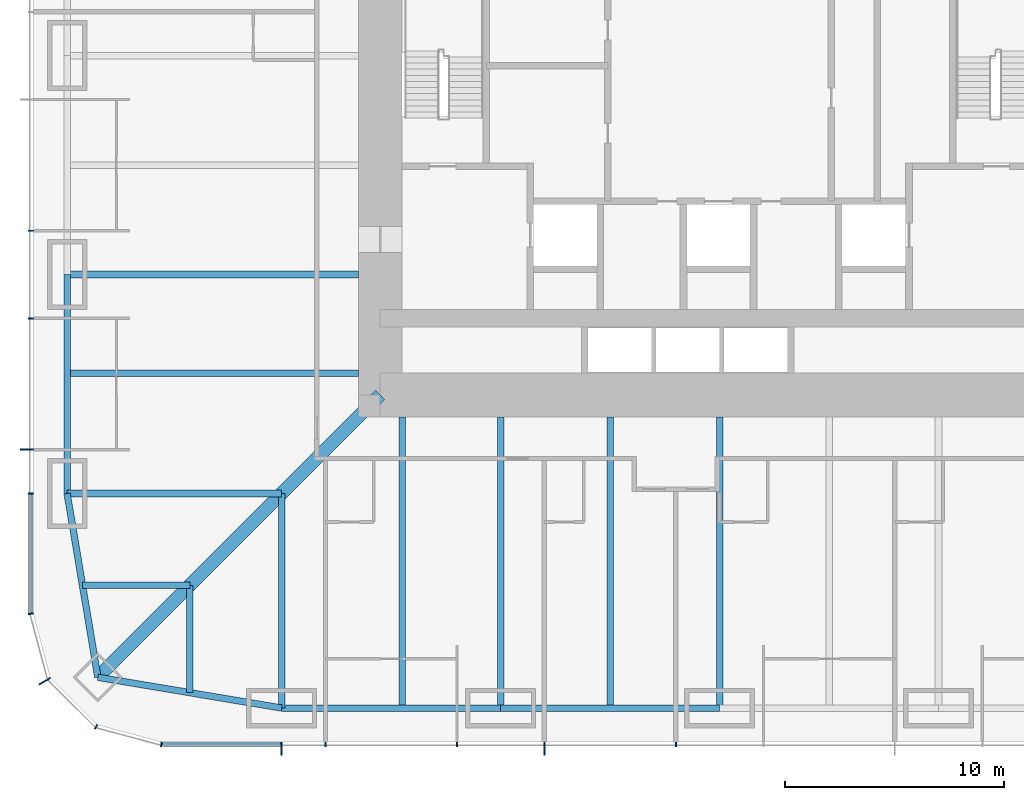
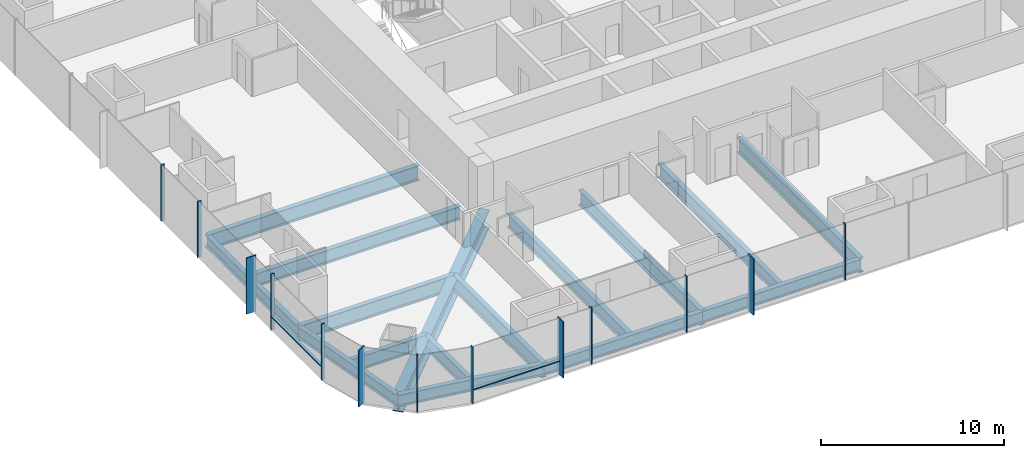
# One storey, part 2 of 17: 16 beams, 15 members, 3 elements without a shape of their own.
"""IFC4 building model written with IfcOpenShell, lengths in metres."""

from ifc_helpers import new_model, si_unit, direction, frame, origin, origin_2d, place, context, subcontext, project, spatial, rectangle, i_section, extrude, material, material_profile, profile_set, type_object, element, aggregate, save


model = new_model("IFC4")

# Units and contexts
model_context = context("Model", 3, precision=1e-05, world=origin(), true_north=direction((0.0, 1.0)))
body_context = subcontext(model_context, "Body", "Model", "MODEL_VIEW")
ifc_project = project(units=[si_unit("LENGTHUNIT", "METRE"), si_unit("AREAUNIT", "SQUARE_METRE"), si_unit("VOLUMEUNIT", "CUBIC_METRE"), si_unit("PLANEANGLEUNIT", "RADIAN"), si_unit("MASSUNIT", "GRAM", prefix="KILO")], contexts=[model_context])

# Site, building, storey
site_placement = place(None, origin())
site = spatial("IfcSite", under=ifc_project, at=site_placement, CompositionType="ELEMENT")
building_placement = place(site_placement, origin())
building = spatial("IfcBuilding", under=site, at=building_placement, Name="Khuree Lantern Residences", CompositionType="ELEMENT")
storey_placement = place(building_placement, frame((0.0, 0.0, 58.5)))
storey = spatial("IfcBuildingStorey", under=building, at=storey_placement, Name="L14", CompositionType="ELEMENT", Elevation=58.5)

# Beams
ifc_material_1 = material(Name="Steel S355", Category="steel")
ifc_material_profile_1 = material_profile(ifc_material_1, i_section(OverallWidth=0.300048828125, OverallDepth=0.889892578125, WebThickness=0.01611328125, FlangeThickness=0.030029296875, FilletRadius=0.030029296875, at=origin_2d()), Name="HE 900 A")
ifc_profile_set_1 = profile_set([ifc_material_profile_1], Name="Steel S355")
beam_type_1 = type_object("IfcBeamType", Name="B-13 SECONDARY BEAM HE 900 A", PredefinedType="BEAM", material=ifc_profile_set_1)
for number, where, z_axis, x_axis, name in (
    (1, (-5.0, -29.800048828125, -0.695068359375), (0.0, 1.0, 0.0), (-1.0, 0.0, 0.0), "Secondary beam S4"),
    (2, (-14.5, -29.800048828125, -0.695068359375), (0.0, 1.0, 0.0), (-1.0, 0.0, 0.0), "Secondary beam S5"),
):
    element("IfcBeam", number, at=place(storey_placement, frame(where, z_axis=z_axis, x_axis=x_axis)), inside=storey, type_object=beam_type_1, Name=name, PredefinedType="BEAM", context=body_context, shape_type="SweptSolid", body=[
        extrude(i_section(OverallWidth=0.300048828125, OverallDepth=0.889892578125, WebThickness=0.01611328125, FlangeThickness=0.030029296875, FilletRadius=0.030029296875, at=origin_2d()), origin(), (0.0, 0.0, 1.0), 13.300048828125),
    ])
for number, where, z_axis, x_axis, name in (
    (3, (-24.197021484375, -29.09716796875, -0.695068359375), (0.0, 1.0, 0.0), (-1.0, 0.0, 0.0), "Secondary beam S6"),
    (4, (-29.09716796875, -24.197021484375, -0.695068359375), (1.0, 0.0, 0.0), (0.0, 1.0, 0.0), "Secondary beam W1"),
):
    element("IfcBeam", number, at=place(storey_placement, frame(where, z_axis=z_axis, x_axis=x_axis)), inside=storey, type_object=beam_type_1, Name=name, PredefinedType="BEAM", context=body_context, shape_type="SweptSolid", body=[
        extrude(i_section(OverallWidth=0.300048828125, OverallDepth=0.889892578125, WebThickness=0.01611328125, FlangeThickness=0.030029296875, FilletRadius=0.030029296875, at=origin_2d()), origin(), (0.0, 0.0, 1.0), 4.900146484375),
    ])
beam_1_placement = place(storey_placement, frame((-29.800048828125, -14.5, -0.695068359375), z_axis=(1.0, 0.0, 0.0), x_axis=(0.0, 1.0, 0.0)))
element("IfcBeam", 5, at=beam_1_placement, inside=storey, type_object=beam_type_1, Name="Secondary beam W2", PredefinedType="BEAM", context=body_context, shape_type="SweptSolid", body=[
    extrude(i_section(OverallWidth=0.300048828125, OverallDepth=0.889892578125, WebThickness=0.01611328125, FlangeThickness=0.030029296875, FilletRadius=0.030029296875, at=origin_2d()), origin(), (0.0, 0.0, 1.0), 13.300048828125),
])
ifc_material_profile_2 = material_profile(ifc_material_1, i_section(OverallWidth=0.300048828125, OverallDepth=0.7900390625, WebThickness=0.014892578125, FlangeThickness=0.028076171875, FilletRadius=0.030029296875, at=origin_2d()), Name="HE 800 A")
ifc_profile_set_2 = profile_set([ifc_material_profile_2], Name="Steel S355")
beam_type_2 = type_object("IfcBeamType", Name="E-13 SPANDREL BEAM HE 800 A", PredefinedType="SPANDREL", material=ifc_profile_set_2)
for number, where, z_axis, x_axis, name in (
    (6, (0.0, -29.800048828125, -0.64501953125), (-1.0, 0.0, 0.0), (0.0, -1.0, 0.0), "Spandrel beam S4"),
    (7, (-10.0, -29.800048828125, -0.64501953125), (-1.0, 0.0, 0.0), (0.0, -1.0, 0.0), "Spandrel beam S5"),
):
    element("IfcBeam", number, at=place(storey_placement, frame(where, z_axis=z_axis, x_axis=x_axis)), inside=storey, type_object=beam_type_2, Name=name, PredefinedType="SPANDREL", context=body_context, shape_type="SweptSolid", body=[
        extrude(i_section(OverallWidth=0.300048828125, OverallDepth=0.7900390625, WebThickness=0.014892578125, FlangeThickness=0.028076171875, FilletRadius=0.030029296875, at=origin_2d()), origin(), (0.0, 0.0, 1.0), 10.0),
    ])
for number, where, z_axis, x_axis, name in (
    (8, (-20.0, -29.800048828125, -0.64501953125), (-0.986260251158, 0.165199022349, 0.0), (-0.165199022349, -0.986260251158, 0.0), "Spandrel beam S6"),
    (9, (-28.39404296875, -28.39404296875, -0.64501953125), (-0.165199022349, 0.986260251158, 0.0), (-0.986260251158, -0.165199022349, 0.0), "Spandrel beam W1"),
):
    element("IfcBeam", number, at=place(storey_placement, frame(where, z_axis=z_axis, x_axis=x_axis)), inside=storey, type_object=beam_type_2, Name=name, PredefinedType="SPANDREL", context=body_context, shape_type="SweptSolid", body=[
        extrude(i_section(OverallWidth=0.300048828125, OverallDepth=0.7900390625, WebThickness=0.014892578125, FlangeThickness=0.028076171875, FilletRadius=0.030029296875, at=origin_2d()), origin(), (0.0, 0.0, 1.0), 8.510986328125),
    ])
beam_2_placement = place(storey_placement, frame((-29.800048828125, -20.0, -0.64501953125), z_axis=(0.0, 1.0, 0.0), x_axis=(-1.0, 0.0, 0.0)))
element("IfcBeam", 10, at=beam_2_placement, inside=storey, type_object=beam_type_2, Name="Spandrel beam W2", PredefinedType="SPANDREL", context=body_context, shape_type="SweptSolid", body=[
    extrude(i_section(OverallWidth=0.300048828125, OverallDepth=0.7900390625, WebThickness=0.014892578125, FlangeThickness=0.028076171875, FilletRadius=0.030029296875, at=origin_2d()), origin(), (0.0, 0.0, 1.0), 10.0),
])

# Curtain wall, member
ifc_material_2 = material(Name="Bronze anodised aluminium", Category="aluminium")
curtain_wall_type_1 = type_object("IfcCurtainWallType", Name="CW-T1 TOWER FACE CURTAIN WALL", PredefinedType="USERDEFINED", material=ifc_material_2)
curtain_wall_1_placement = place(storey_placement, origin())
curtain_wall_1 = element("IfcCurtainWall", 11, at=curtain_wall_1_placement, inside=storey, type_object=curtain_wall_type_1, Name="L14 WEST FACE CURTAIN WALL", ObjectType="Stick-built curtain wall", PredefinedType="USERDEFINED")
ifc_material_profile_3 = material_profile(ifc_material_2, rectangle(XDim=0.06494140625, YDim=0.60009765625, at=origin_2d()), Name="F1 65X600")
ifc_profile_set_3 = profile_set([ifc_material_profile_3], Name="Bronze anodised aluminium")
member_type_1 = type_object("IfcMemberType", Name="F1 BRONZE FIN MULLION TOWER 65X600", PredefinedType="MULLION", material=ifc_profile_set_3)
member_1_placement = place(storey_placement, frame((-31.64990234375, -18.0, 0.0), z_axis=(0.0, 0.0, 1.0), x_axis=(0.0, -1.0, 0.0)))
member_1 = element("IfcMember", 12, at=member_1_placement, type_object=member_type_1, Name="L14 WEST FACE FIN MULLION 41", PredefinedType="MULLION", context=body_context, shape_type="SweptSolid", body=[
    extrude(rectangle(XDim=0.06494140625, YDim=0.60009765625, at=origin_2d()), origin(), (0.0, 0.0, 1.0), 3.75),
])

curtain_wall_type_2 = type_object("IfcCurtainWallType", Name="CW-T2 TOWER CORNER CURTAIN WALL", PredefinedType="USERDEFINED", material=ifc_material_2)
curtain_wall_2_placement = place(storey_placement, origin())
curtain_wall_2 = element("IfcCurtainWall", 13, at=curtain_wall_2_placement, inside=storey, type_object=curtain_wall_type_2, Name="L14 SOUTH-WEST CORNER CURTAIN WALL", ObjectType="Faceted corner curtain wall", PredefinedType="USERDEFINED")
member_2_placement = place(storey_placement, frame((-30.826171875, -28.574951171875, 0.0), z_axis=(0.0, 0.0, 1.0), x_axis=(0.500000056923, -0.86602537092, 0.0)))
member_2 = element("IfcMember", 14, at=member_2_placement, type_object=member_type_1, Name="L14 SOUTH-WEST CORNER FIN MULLION 44", PredefinedType="MULLION", context=body_context, shape_type="SweptSolid", body=[
    extrude(rectangle(XDim=0.06494140625, YDim=0.60009765625, at=origin_2d()), origin(), (0.0, 0.0, 1.0), 3.75),
])

# Curtain wall, members
curtain_wall_3_placement = place(storey_placement, origin())
curtain_wall_3 = element("IfcCurtainWall", 15, at=curtain_wall_3_placement, inside=storey, type_object=curtain_wall_type_1, Name="L14 SOUTH FACE CURTAIN WALL", ObjectType="Stick-built curtain wall", PredefinedType="USERDEFINED")
member_3_placement = place(storey_placement, frame((-20.0, -31.64990234375, 0.0), z_axis=(0.0, 0.0, 1.0), x_axis=(1.0, 0.0, 0.0)))
member_3 = element("IfcMember", 16, at=member_3_placement, type_object=member_type_1, Name="L14 SOUTH FACE FIN MULLION 47", PredefinedType="MULLION", context=body_context, shape_type="SweptSolid", body=[
    extrude(rectangle(XDim=0.06494140625, YDim=0.60009765625, at=origin_2d()), origin(), (0.0, 0.0, 1.0), 3.75),
])
member_4_placement = place(storey_placement, frame((-8.0, -31.64990234375, 0.0), z_axis=(0.0, 0.0, 1.0), x_axis=(1.0, 0.0, 0.0)))
member_4 = element("IfcMember", 17, at=member_4_placement, type_object=member_type_1, Name="L14 SOUTH FACE FIN MULLION 50", PredefinedType="MULLION", context=body_context, shape_type="SweptSolid", body=[
    extrude(rectangle(XDim=0.06494140625, YDim=0.60009765625, at=origin_2d()), origin(), (0.0, 0.0, 1.0), 3.75),
])

# Beams
ifc_material_profile_4 = material_profile(ifc_material_1, i_section(OverallWidth=0.302001953125, OverallDepth=1.008056640625, WebThickness=0.02099609375, FlangeThickness=0.0400390625, FilletRadius=0.030029296875, at=origin_2d()), Name="HE 1000 M")
ifc_profile_set_4 = profile_set([ifc_material_profile_4], Name="Steel S355")
beam_type_3 = type_object("IfcBeamType", Name="G-13 GIRDER HE 1000 M", PredefinedType="BEAM", material=ifc_profile_set_4)
for number, where, z_axis, x_axis, name in (
    (18, (0.0, -29.800048828125, -0.75390625), (0.0, 1.0, 0.0), (-1.0, 0.0, 0.0), "Girder S3"),
    (19, (-10.0, -29.800048828125, -0.75390625), (0.0, 1.0, 0.0), (-1.0, 0.0, 0.0), "Girder S4"),
):
    element("IfcBeam", number, at=place(storey_placement, frame(where, z_axis=z_axis, x_axis=x_axis)), inside=storey, type_object=beam_type_3, Name=name, PredefinedType="BEAM", context=body_context, shape_type="SweptSolid", body=[
        extrude(i_section(OverallWidth=0.302001953125, OverallDepth=1.008056640625, WebThickness=0.02099609375, FlangeThickness=0.0400390625, FilletRadius=0.030029296875, at=origin_2d()), origin(), (0.0, 0.0, 1.0), 13.300048828125),
    ])
for number, where, z_axis, x_axis, name in (
    (20, (-20.0, -29.800048828125, -0.75390625), (0.0, 1.0, 0.0), (-1.0, 0.0, 0.0), "Girder S5"),
    (21, (-29.800048828125, -20.0, -0.75390625), (1.0, 0.0, 0.0), (0.0, 1.0, 0.0), "Girder W1"),
):
    element("IfcBeam", number, at=place(storey_placement, frame(where, z_axis=z_axis, x_axis=x_axis)), inside=storey, type_object=beam_type_3, Name=name, PredefinedType="BEAM", context=body_context, shape_type="SweptSolid", body=[
        extrude(i_section(OverallWidth=0.302001953125, OverallDepth=1.008056640625, WebThickness=0.02099609375, FlangeThickness=0.0400390625, FilletRadius=0.030029296875, at=origin_2d()), origin(), (0.0, 0.0, 1.0), 9.800048828125),
    ])
beam_3_placement = place(storey_placement, frame((-29.800048828125, -10.0, -0.75390625), z_axis=(1.0, 0.0, 0.0), x_axis=(0.0, 1.0, 0.0)))
element("IfcBeam", 22, at=beam_3_placement, inside=storey, type_object=beam_type_3, Name="Girder W2", PredefinedType="BEAM", context=body_context, shape_type="SweptSolid", body=[
    extrude(i_section(OverallWidth=0.302001953125, OverallDepth=1.008056640625, WebThickness=0.02099609375, FlangeThickness=0.0400390625, FilletRadius=0.030029296875, at=origin_2d()), origin(), (0.0, 0.0, 1.0), 13.300048828125),
])
ifc_material_profile_5 = material_profile(ifc_material_1, i_section(OverallWidth=0.60009765625, OverallDepth=1.199951171875, WebThickness=0.030029296875, FlangeThickness=0.06005859375, at=origin_2d()), Name="WELDED I 1200X600X30X60")
ifc_profile_set_5 = profile_set([ifc_material_profile_5], Name="Steel S355")
beam_type_4 = type_object("IfcBeamType", Name="GD-13 CORNER GIRDER WELDED I 1200X600X30X60", PredefinedType="BEAM", material=ifc_profile_set_5)
beam_4_placement = place(storey_placement, frame((-28.39404296875, -28.39404296875, -0.85009765625), z_axis=(0.707106781187, 0.707106781187, 0.0), x_axis=(-0.707106781187, 0.707106781187, 0.0)))
element("IfcBeam", 23, at=beam_4_placement, inside=storey, type_object=beam_type_4, Name="Corner girder SW", PredefinedType="BEAM", context=body_context, shape_type="SweptSolid", body=[
    extrude(i_section(OverallWidth=0.60009765625, OverallDepth=1.199951171875, WebThickness=0.030029296875, FlangeThickness=0.06005859375, at=origin_2d()), origin(), (0.0, 0.0, 1.0), 18.23486328125),
])

# Member
ifc_material_profile_6 = material_profile(ifc_material_2, rectangle(XDim=0.06494140625, YDim=0.219970703125, at=origin_2d()), Name="M1 65X220")
ifc_profile_set_6 = profile_set([ifc_material_profile_6], Name="Bronze anodised aluminium")
member_type_2 = type_object("IfcMemberType", Name="M1 BRONZE MULLION TOWER 65X220", PredefinedType="MULLION", material=ifc_profile_set_6)
member_5_placement = place(storey_placement, frame((-31.4599609375, -8.0, 0.0), z_axis=(0.0, 0.0, 1.0), x_axis=(0.0, -1.0, 0.0)))
member_5 = element("IfcMember", 24, at=member_5_placement, type_object=member_type_2, Name="L14 WEST FACE MULLION 39", PredefinedType="MULLION", context=body_context, shape_type="SweptSolid", body=[
    extrude(rectangle(XDim=0.06494140625, YDim=0.219970703125, at=origin_2d()), origin(), (0.0, 0.0, 1.0), 3.75),
])

member_6_placement = place(storey_placement, frame((-31.4599609375, -12.0, 0.0), z_axis=(0.0, 0.0, 1.0), x_axis=(0.0, -1.0, 0.0)))
member_6 = element("IfcMember", 25, at=member_6_placement, type_object=member_type_2, Name="L14 WEST FACE MULLION 40", PredefinedType="MULLION", context=body_context, shape_type="SweptSolid", body=[
    extrude(rectangle(XDim=0.06494140625, YDim=0.219970703125, at=origin_2d()), origin(), (0.0, 0.0, 1.0), 3.75),
])

member_7_placement = place(storey_placement, frame((-31.4599609375, -20.0, 0.0), z_axis=(0.0, 0.0, 1.0), x_axis=(0.0, -1.0, 0.0)))
member_7 = element("IfcMember", 26, at=member_7_placement, type_object=member_type_2, Name="L14 WEST FACE MULLION 42", PredefinedType="MULLION", context=body_context, shape_type="SweptSolid", body=[
    extrude(rectangle(XDim=0.06494140625, YDim=0.219970703125, at=origin_2d()), origin(), (0.0, 0.0, 1.0), 3.75),
])

member_8_placement = place(storey_placement, frame((-31.461669921875, -25.494873046875, 0.0), z_axis=(0.0, 0.0, 1.0), x_axis=(0.130526257387, -0.991444852794, 0.0)))
member_8 = element("IfcMember", 27, at=member_8_placement, type_object=member_type_2, Name="L14 SOUTH-WEST CORNER MULLION 43", PredefinedType="MULLION", context=body_context, shape_type="SweptSolid", body=[
    extrude(rectangle(XDim=0.06494140625, YDim=0.219970703125, at=origin_2d()), origin(), (0.0, 0.0, 1.0), 3.75),
])

member_9_placement = place(storey_placement, frame((-28.47998046875, -30.66162109375, 0.0), z_axis=(0.0, 0.0, 1.0), x_axis=(0.86602537092, -0.500000056923, 0.0)))
member_9 = element("IfcMember", 28, at=member_9_placement, type_object=member_type_2, Name="L14 SOUTH-WEST CORNER MULLION 45", PredefinedType="MULLION", context=body_context, shape_type="SweptSolid", body=[
    extrude(rectangle(XDim=0.06494140625, YDim=0.219970703125, at=origin_2d()), origin(), (0.0, 0.0, 1.0), 3.75),
])

aggregate(curtain_wall_2, [member_8, member_2, member_9])

member_10_placement = place(storey_placement, frame((-25.494873046875, -31.461669921875, 0.0), z_axis=(0.0, 0.0, 1.0), x_axis=(0.991444852794, -0.130526257387, 0.0)))
member_10 = element("IfcMember", 29, at=member_10_placement, type_object=member_type_2, Name="L14 SOUTH FACE MULLION 46", PredefinedType="MULLION", context=body_context, shape_type="SweptSolid", body=[
    extrude(rectangle(XDim=0.06494140625, YDim=0.219970703125, at=origin_2d()), origin(), (0.0, 0.0, 1.0), 3.75),
])

member_11_placement = place(storey_placement, frame((-18.0, -31.4599609375, 0.0), z_axis=(0.0, 0.0, 1.0), x_axis=(1.0, 0.0, 0.0)))
member_11 = element("IfcMember", 30, at=member_11_placement, type_object=member_type_2, Name="L14 SOUTH FACE MULLION 48", PredefinedType="MULLION", context=body_context, shape_type="SweptSolid", body=[
    extrude(rectangle(XDim=0.06494140625, YDim=0.219970703125, at=origin_2d()), origin(), (0.0, 0.0, 1.0), 3.75),
])

member_12_placement = place(storey_placement, frame((-12.0, -31.4599609375, 0.0), z_axis=(0.0, 0.0, 1.0), x_axis=(1.0, 0.0, 0.0)))
member_12 = element("IfcMember", 31, at=member_12_placement, type_object=member_type_2, Name="L14 SOUTH FACE MULLION 49", PredefinedType="MULLION", context=body_context, shape_type="SweptSolid", body=[
    extrude(rectangle(XDim=0.06494140625, YDim=0.219970703125, at=origin_2d()), origin(), (0.0, 0.0, 1.0), 3.75),
])

member_13_placement = place(storey_placement, frame((-2.0, -31.4599609375, 0.0), z_axis=(0.0, 0.0, 1.0), x_axis=(1.0, 0.0, 0.0)))
member_13 = element("IfcMember", 32, at=member_13_placement, type_object=member_type_2, Name="L14 SOUTH FACE MULLION 51", PredefinedType="MULLION", context=body_context, shape_type="SweptSolid", body=[
    extrude(rectangle(XDim=0.06494140625, YDim=0.219970703125, at=origin_2d()), origin(), (0.0, 0.0, 1.0), 3.75),
])

ifc_material_profile_7 = material_profile(ifc_material_2, rectangle(XDim=0.179931640625, YDim=0.06494140625, at=origin_2d()), Name="T1 180X65")
ifc_profile_set_7 = profile_set([ifc_material_profile_7], Name="Bronze anodised aluminium")
member_type_3 = type_object("IfcMemberType", Name="TRANSOM T1 TOWER 180X65", PredefinedType="USERDEFINED", material=ifc_profile_set_7)
member_14_placement = place(storey_placement, frame((-31.469970703125, -20.032470703125, 0.89990234375), z_axis=(0.0, -1.0, 0.0), x_axis=(1.0, 0.0, 0.0)))
member_14 = element("IfcMember", 33, at=member_14_placement, type_object=member_type_3, Name="L14 WEST FACE TRANSOM 42.1", ObjectType="Transom", PredefinedType="USERDEFINED", context=body_context, shape_type="SweptSolid", body=[
    extrude(rectangle(XDim=0.179931640625, YDim=0.06494140625, at=origin_2d()), origin(), (0.0, 0.0, 1.0), 5.4189453125),
])

aggregate(curtain_wall_1, [member_5, member_6, member_1, member_7, member_14])

member_15_placement = place(storey_placement, frame((-25.451416015625, -31.469970703125, 0.89990234375), z_axis=(1.0, 0.0, 0.0), x_axis=(0.0, 1.0, 0.0)))
member_15 = element("IfcMember", 34, at=member_15_placement, type_object=member_type_3, Name="L14 SOUTH FACE TRANSOM 46.1", ObjectType="Transom", PredefinedType="USERDEFINED", context=body_context, shape_type="SweptSolid", body=[
    extrude(rectangle(XDim=0.179931640625, YDim=0.06494140625, at=origin_2d()), origin(), (0.0, 0.0, 1.0), 5.4189453125),
])

aggregate(curtain_wall_3, [member_10, member_3, member_11, member_12, member_4, member_13, member_15])

save(model, "model.ifc")
